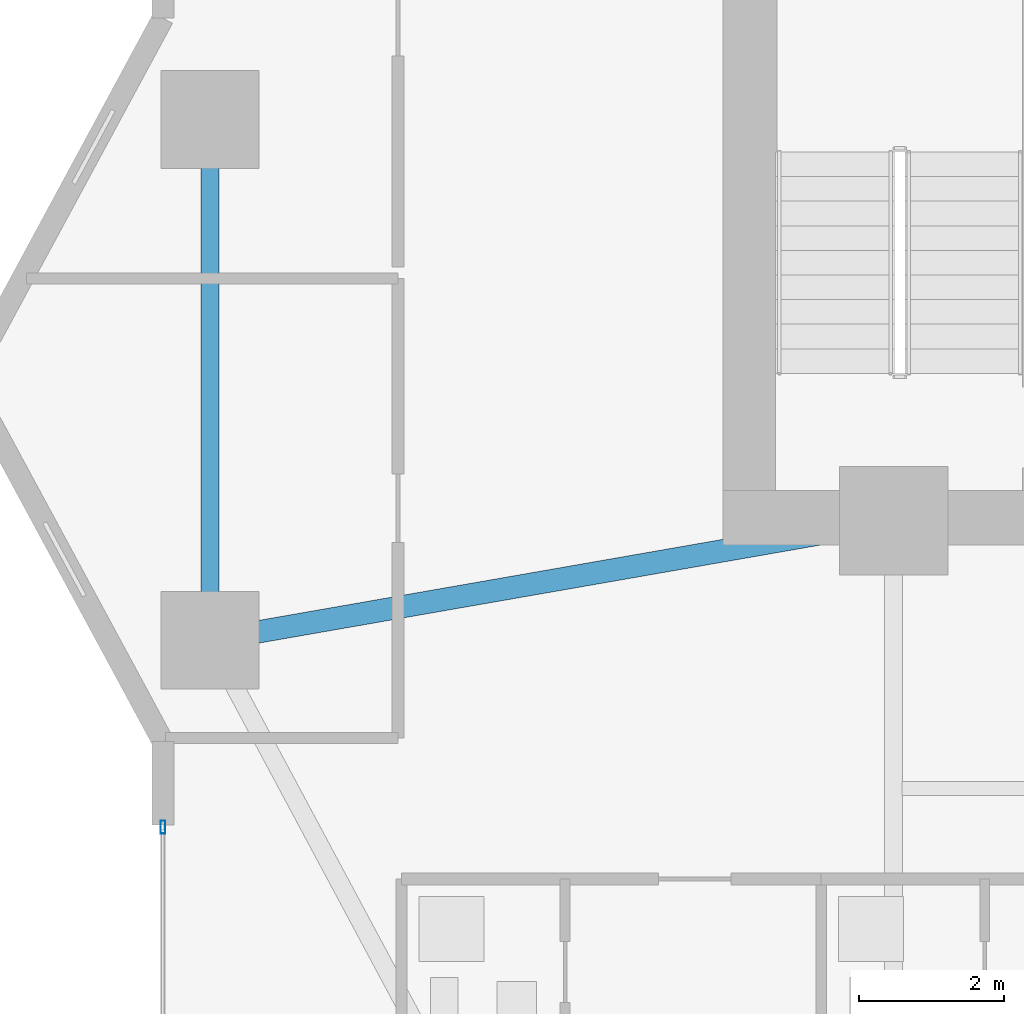
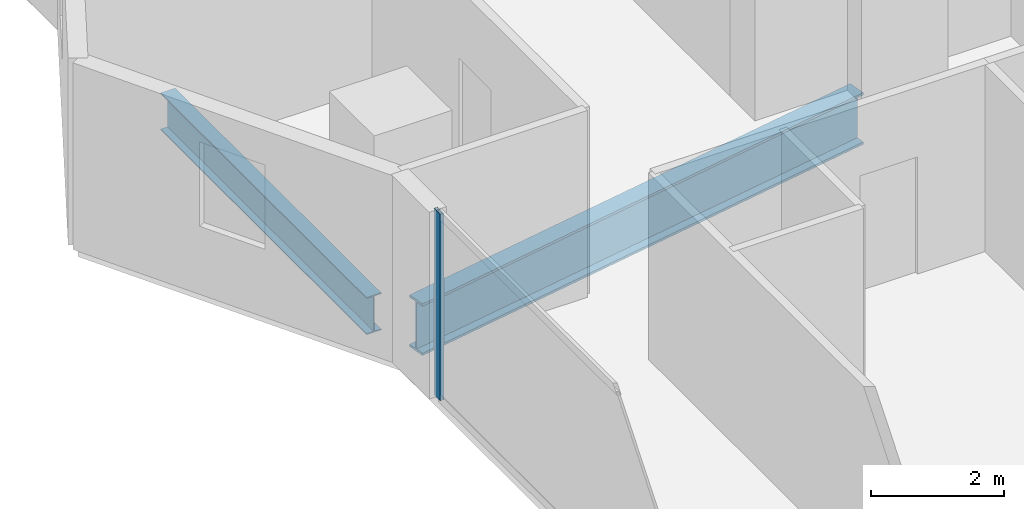
# One storey, part 7 of 29: 2 beams, 1 member, 1 element without a shape of its own.
"""IFC4 building model written with IfcOpenShell, lengths in metres."""

from ifc_helpers import new_model, si_unit, direction, frame, origin, origin_2d, place, context, subcontext, project, spatial, hollow_rectangle, i_section, extrude, material, layer, layer_set, material_profile, profile_set, type_object, element, aggregate, save


model = new_model("IFC4")

# Units and contexts
model_context = context("Model", 3, precision=1e-05, world=origin(), true_north=direction((0.0, 1.0)))
body_context = subcontext(model_context, "Body", "Model", "MODEL_VIEW")
ifc_project = project(units=[si_unit("LENGTHUNIT", "METRE"), si_unit("AREAUNIT", "SQUARE_METRE"), si_unit("VOLUMEUNIT", "CUBIC_METRE"), si_unit("PLANEANGLEUNIT", "RADIAN"), si_unit("MASSUNIT", "GRAM", prefix="KILO")], contexts=[model_context])

# Site, building, storey
site_placement = place(None, origin())
site = spatial("IfcSite", under=ifc_project, at=site_placement, CompositionType="ELEMENT")
building_placement = place(site_placement, origin())
building = spatial("IfcBuilding", under=site, at=building_placement, Name="Zuhayl Quay Hotel", CompositionType="ELEMENT")
storey_placement = place(building_placement, frame((0.0, 0.0, 150.39990234375)))
storey = spatial("IfcBuildingStorey", under=building, at=storey_placement, Name="L38", CompositionType="ELEMENT", Elevation=150.39990234375)

# Beams
ifc_material_1 = material(Name="Steel ASTM A992 Grade 50", Category="steel")
ifc_material_profile_1 = material_profile(ifc_material_1, i_section(OverallWidth=0.25390625, OverallDepth=0.68310546875, WebThickness=0.012451171875, FlangeThickness=0.018798828125, at=origin_2d()), Name="W27X94")
ifc_profile_set_1 = profile_set([ifc_material_profile_1], Name="Steel ASTM A992 Grade 50")
beam_type_1 = type_object("IfcBeamType", Name="BM_B2_W27X94", PredefinedType="BEAM", material=ifc_profile_set_1)
beam_1_placement = place(storey_placement, frame((-23.25, 9.60009765625, -0.5615234375), z_axis=(0.0, -1.0, 0.0), x_axis=(1.0, 0.0, 0.0)))
element("IfcBeam", 1, at=beam_1_placement, inside=storey, type_object=beam_type_1, Name="L38 Floor Beam RG_L38_11", PredefinedType="BEAM", context=body_context, shape_type="SweptSolid", body=[
    extrude(i_section(OverallWidth=0.25390625, OverallDepth=0.68310546875, WebThickness=0.012451171875, FlangeThickness=0.018798828125, at=origin_2d()), origin(), (0.0, 0.0, 1.0), 6.2001953125),
])
ifc_material_profile_2 = material_profile(ifc_material_1, i_section(OverallWidth=0.31005859375, OverallDepth=0.949951171875, WebThickness=0.0244140625, FlangeThickness=0.0439453125, at=origin_2d()), Name="W36X256")
ifc_profile_set_2 = profile_set([ifc_material_profile_2], Name="Steel ASTM A992 Grade 50")
beam_type_2 = type_object("IfcBeamType", Name="BM_PG1_W36X256", PredefinedType="BEAM", material=ifc_profile_set_2)
beam_2_placement = place(storey_placement, frame((-22.757568359375, 2.986083984375, -0.69482421875), z_axis=(0.985097302632, 0.171997977741, 0.0), x_axis=(-0.171997977741, 0.985097302632, 0.0)))
element("IfcBeam", 2, at=beam_2_placement, inside=storey, type_object=beam_type_2, Name="L38 Floor Beam FG_W_L38_1", PredefinedType="BEAM", context=body_context, shape_type="SweptSolid", body=[
    extrude(i_section(OverallWidth=0.31005859375, OverallDepth=0.949951171875, WebThickness=0.0244140625, FlangeThickness=0.0439453125, at=origin_2d()), origin(), (0.0, 0.0, 1.0), 8.64306640625),
])

# Curtain wall, member
ifc_material_2 = material(Name="Anodised Aluminium 6063-T6", Category="aluminium")
ifc_layer = layer(ifc_material_2, 0.179931640625, Name="Anodised Aluminium 6063-T6", Category="aluminium")
ifc_layer_set = layer_set([ifc_layer], Name="Anodised Aluminium 6063-T6")
curtain_wall_type = type_object("IfcCurtainWallType", Name="CW_SYS_Z2", PredefinedType="USERDEFINED", material=ifc_layer_set)
curtain_wall_placement = place(storey_placement, origin())
curtain_wall = element("IfcCurtainWall", 3, at=curtain_wall_placement, inside=storey, type_object=curtain_wall_type, Name="L38 Curtain Wall ENV_L38_E02_CW1", ObjectType="UNITISED CURTAIN WALL", PredefinedType="USERDEFINED")
ifc_material_3 = material(Name="Black-anodised aluminium 6063-T6", Category="aluminium")
ifc_material_profile_3 = material_profile(ifc_material_3, hollow_rectangle(XDim=0.06494140625, YDim=0.179931640625, WallThickness=0.00341796875, at=origin_2d()), Name="ALU180X65")
ifc_profile_set_3 = profile_set([ifc_material_profile_3], Name="Black-anodised aluminium 6063-T6")
member_type = type_object("IfcMemberType", Name="MB_CW_MUL_180", PredefinedType="MULLION", material=ifc_profile_set_3)
member_placement = place(storey_placement, frame((-23.89990234375, 0.3173828125, 0.0), z_axis=(0.0, 0.0, 1.0), x_axis=(-1.0, 0.0, 0.0)))
member = element("IfcMember", 4, at=member_placement, type_object=member_type, Name="CW-Z2 mullion 2", PredefinedType="MULLION", context=body_context, shape_type="SweptSolid", body=[
    extrude(hollow_rectangle(XDim=0.06494140625, YDim=0.179931640625, WallThickness=0.00341796875, at=origin_2d()), origin(), (0.0, 0.0, 1.0), 3.43017578125),
])
aggregate(curtain_wall, [member])

save(model, "model.ifc")
